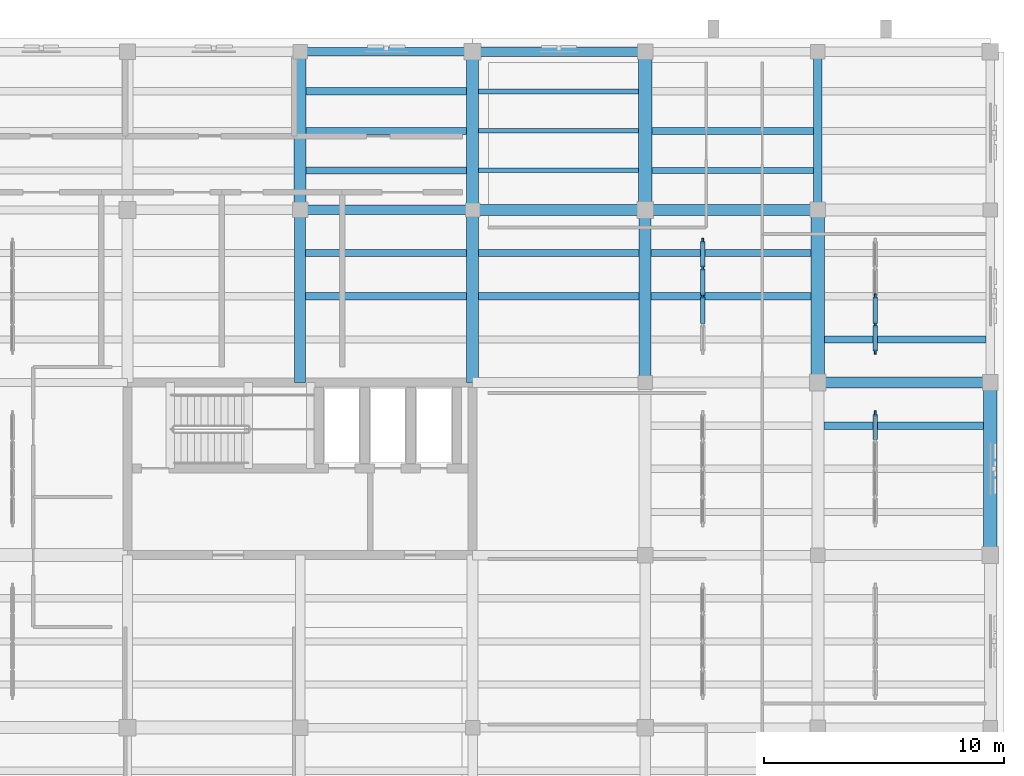
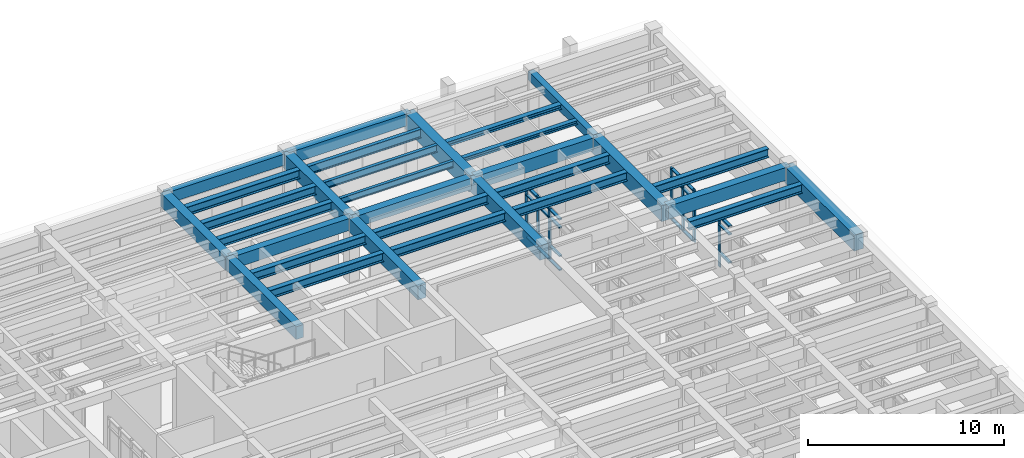
# One storey, part 11 of 40: 31 beams, 30 members, 3 elements without a shape of their own.
"""IFC4 building model written with IfcOpenShell, lengths in metres."""

from ifc_helpers import new_model, si_unit, direction, frame, origin, origin_2d, place, context, subcontext, project, spatial, rectangle, i_section, extrude, material, material_profile, profile_set, type_object, element, aggregate, save


model = new_model("IFC4")

# Units and contexts
model_context = context("Model", 3, precision=1e-05, world=origin(), true_north=direction((0.0, 1.0)))
body_context = subcontext(model_context, "Body", "Model", "MODEL_VIEW")
ifc_project = project(units=[si_unit("LENGTHUNIT", "METRE"), si_unit("AREAUNIT", "SQUARE_METRE"), si_unit("VOLUMEUNIT", "CUBIC_METRE"), si_unit("PLANEANGLEUNIT", "RADIAN"), si_unit("MASSUNIT", "GRAM", prefix="KILO")], contexts=[model_context])

# Site, building, storey
site_placement = place(None, origin())
site = spatial("IfcSite", under=ifc_project, at=site_placement, CompositionType="ELEMENT")
building_placement = place(site_placement, origin())
building = spatial("IfcBuilding", under=site, at=building_placement, Name="Mithqara Police Headquarters", CompositionType="ELEMENT")
storey_placement = place(building_placement, frame((0.0, 0.0, 13.800048828125)))
storey = spatial("IfcBuildingStorey", under=building, at=storey_placement, Name="L03", CompositionType="ELEMENT", Elevation=13.800048828125)

# Beams
ifc_material_1 = material(Name="Steel S355JR", Category="steel")
ifc_material_profile_1 = material_profile(ifc_material_1, i_section(OverallWidth=0.300048828125, OverallDepth=0.550048828125, WebThickness=0.014892578125, FlangeThickness=0.029052734375, FilletRadius=0.027099609375, at=origin_2d()), Name="HEB 550")
ifc_profile_set_1 = profile_set([ifc_material_profile_1], Name="Steel S355JR")
beam_type_1 = type_object("IfcBeamType", Name="BEAM HEB550", PredefinedType="BEAM", material=ifc_profile_set_1)
for number, where, z_axis, x_axis, name in (
    (1, (137.625, 103.800048828125, 3.6650390625), (1.0, 0.0, 0.0), (0.0, 1.0, 0.0), "L03 Composite Steel Joist 20-21/Q.2"),
    (2, (137.625, 105.60009765625, 3.6650390625), (1.0, 0.0, 0.0), (0.0, 1.0, 0.0), "L03 Composite Steel Joist 20-21/Q.3"),
):
    element("IfcBeam", number, at=place(storey_placement, frame(where, z_axis=z_axis, x_axis=x_axis)), inside=storey, type_object=beam_type_1, Name=name, PredefinedType="BEAM", context=body_context, shape_type="SweptSolid", body=[
        extrude(i_section(OverallWidth=0.300048828125, OverallDepth=0.550048828125, WebThickness=0.014892578125, FlangeThickness=0.029052734375, FilletRadius=0.027099609375, at=origin_2d()), origin(), (0.0, 0.0, 1.0), 6.72509765625),
    ])
for number, where, z_axis, x_axis, name in (
    (3, (137.64990234375, 109.050048828125, 3.6650390625), (1.0, 0.0, 0.0), (0.0, 1.0, 0.0), "L03 Composite Steel Joist 20-21/R.1"),
    (4, (137.64990234375, 110.699951171875, 3.6650390625), (1.0, 0.0, 0.0), (0.0, 1.0, 0.0), "L03 Composite Steel Joist 20-21/R.2"),
    (5, (137.64990234375, 112.35009765625, 3.6650390625), (1.0, 0.0, 0.0), (0.0, 1.0, 0.0), "L03 Composite Steel Joist 20-21/R.3"),
):
    element("IfcBeam", number, at=place(storey_placement, frame(where, z_axis=z_axis, x_axis=x_axis)), inside=storey, type_object=beam_type_1, Name=name, PredefinedType="BEAM", context=body_context, shape_type="SweptSolid", body=[
        extrude(i_section(OverallWidth=0.300048828125, OverallDepth=0.550048828125, WebThickness=0.014892578125, FlangeThickness=0.029052734375, FilletRadius=0.027099609375, at=origin_2d()), origin(), (0.0, 0.0, 1.0), 6.7001953125),
    ])
for number, where, z_axis, x_axis, name in (
    (6, (144.85009765625, 103.800048828125, 3.6650390625), (1.0, 0.0, 0.0), (0.0, 1.0, 0.0), "L03 Composite Steel Joist 21-22/Q.2"),
    (7, (144.85009765625, 105.60009765625, 3.6650390625), (1.0, 0.0, 0.0), (0.0, 1.0, 0.0), "L03 Composite Steel Joist 21-22/Q.3"),
):
    element("IfcBeam", number, at=place(storey_placement, frame(where, z_axis=z_axis, x_axis=x_axis)), inside=storey, type_object=beam_type_1, Name=name, PredefinedType="BEAM", context=body_context, shape_type="SweptSolid", body=[
        extrude(i_section(OverallWidth=0.300048828125, OverallDepth=0.550048828125, WebThickness=0.014892578125, FlangeThickness=0.029052734375, FilletRadius=0.027099609375, at=origin_2d()), origin(), (0.0, 0.0, 1.0), 6.699951171875),
    ])
for number, where, z_axis, x_axis, name in (
    (8, (152.050048828125, 103.800048828125, 3.6650390625), (1.0, 0.0, 0.0), (0.0, 1.0, 0.0), "L03 Composite Steel Joist 22-23/Q.2"),
    (9, (152.050048828125, 105.60009765625, 3.6650390625), (1.0, 0.0, 0.0), (0.0, 1.0, 0.0), "L03 Composite Steel Joist 22-23/Q.3"),
    (10, (159.25, 98.39990234375, 3.6650390625), (1.0, 0.0, 0.0), (0.0, 1.0, 0.0), "L03 Composite Steel Joist 23-24/P.3"),
):
    element("IfcBeam", number, at=place(storey_placement, frame(where, z_axis=z_axis, x_axis=x_axis)), inside=storey, type_object=beam_type_1, Name=name, PredefinedType="BEAM", context=body_context, shape_type="SweptSolid", body=[
        extrude(i_section(OverallWidth=0.300048828125, OverallDepth=0.550048828125, WebThickness=0.014892578125, FlangeThickness=0.029052734375, FilletRadius=0.027099609375, at=origin_2d()), origin(), (0.0, 0.0, 1.0), 6.675048828125),
    ])
beam_1_placement = place(storey_placement, frame((159.27490234375, 102.0, 3.6650390625), z_axis=(1.0, 0.0, 0.0), x_axis=(0.0, 1.0, 0.0)))
element("IfcBeam", 11, at=beam_1_placement, inside=storey, type_object=beam_type_1, Name="L03 Composite Steel Joist 23-24/Q.1", PredefinedType="BEAM", context=body_context, shape_type="SweptSolid", body=[
    extrude(i_section(OverallWidth=0.300048828125, OverallDepth=0.550048828125, WebThickness=0.014892578125, FlangeThickness=0.029052734375, FilletRadius=0.027099609375, at=origin_2d()), origin(), (0.0, 0.0, 1.0), 6.75),
])
ifc_material_2 = material(Name="Concrete C40/50", Category="concrete")
ifc_material_profile_2 = material_profile(ifc_material_2, rectangle(XDim=0.35009765625, YDim=0.550048828125, at=origin_2d()), Name="RC 350x550")
ifc_profile_set_2 = profile_set([ifc_material_profile_2], Name="Concrete C40/50")
beam_type_2 = type_object("IfcBeamType", Name="BEAM RC350X550", PredefinedType="BEAM", material=ifc_profile_set_2)
beam_2_placement = place(storey_placement, frame((159.0, 107.39990234375, 3.6650390625), z_axis=(0.0, 1.0, 0.0), x_axis=(-1.0, 0.0, 0.0)))
element("IfcBeam", 12, at=beam_2_placement, inside=storey, type_object=beam_type_2, Name="L03 Girder 23/R-S", PredefinedType="BEAM", context=body_context, shape_type="SweptSolid", body=[
    extrude(rectangle(XDim=0.35009765625, YDim=0.550048828125, at=origin_2d()), origin(), (0.0, 0.0, 1.0), 6.60009765625),
])
ifc_material_profile_3 = material_profile(ifc_material_2, rectangle(XDim=0.39990234375, YDim=0.75, at=origin_2d()), Name="RC 400x750")
ifc_profile_set_3 = profile_set([ifc_material_profile_3], Name="Concrete C40/50")
beam_type_3 = type_object("IfcBeamType", Name="BEAM RC400X750", PredefinedType="BEAM", material=ifc_profile_set_3)
beam_3_placement = place(storey_placement, frame((137.39990234375, 107.39990234375, 3.56494140625), z_axis=(1.0, 0.0, 0.0), x_axis=(0.0, 1.0, 0.0)))
element("IfcBeam", 13, at=beam_3_placement, inside=storey, type_object=beam_type_3, Name="L03 Girder 20-21/R", PredefinedType="BEAM", context=body_context, shape_type="SweptSolid", body=[
    extrude(rectangle(XDim=0.39990234375, YDim=0.75, at=origin_2d()), origin(), (0.0, 0.0, 1.0), 7.2001953125),
])
ifc_material_profile_4 = material_profile(ifc_material_2, rectangle(XDim=0.449951171875, YDim=0.699951171875, at=origin_2d()), Name="RC 450x700")
ifc_profile_set_4 = profile_set([ifc_material_profile_4], Name="Concrete C40/50")
beam_type_4 = type_object("IfcBeamType", Name="BEAM RC450X700", PredefinedType="BEAM", material=ifc_profile_set_4)
beam_4_placement = place(storey_placement, frame((144.60009765625, 107.39990234375, 3.58984375), z_axis=(1.0, 0.0, 0.0), x_axis=(0.0, 1.0, 0.0)))
element("IfcBeam", 14, at=beam_4_placement, inside=storey, type_object=beam_type_4, Name="L03 Girder 21-22/R", PredefinedType="BEAM", context=body_context, shape_type="SweptSolid", body=[
    extrude(rectangle(XDim=0.449951171875, YDim=0.699951171875, at=origin_2d()), origin(), (0.0, 0.0, 1.0), 7.199951171875),
])
ifc_material_profile_5 = material_profile(ifc_material_2, rectangle(XDim=0.449951171875, YDim=0.800048828125, at=origin_2d()), Name="RC 450x800")
ifc_profile_set_5 = profile_set([ifc_material_profile_5], Name="Concrete C40/50")
beam_type_5 = type_object("IfcBeamType", Name="BEAM RC450X800", PredefinedType="BEAM", material=ifc_profile_set_5)
for number, where, z_axis, x_axis, name in (
    (15, (137.39990234375, 100.199951171875, 3.5400390625), (0.0, 1.0, 0.0), (-1.0, 0.0, 0.0), "L03 Girder 20/Q-R"),
    (16, (151.800048828125, 107.39990234375, 3.5400390625), (1.0, 0.0, 0.0), (0.0, 1.0, 0.0), "L03 Girder 22-23/R"),
    (17, (159.0, 100.199951171875, 3.5400390625), (1.0, 0.0, 0.0), (0.0, 1.0, 0.0), "L03 Girder 23-24/Q"),
):
    element("IfcBeam", number, at=place(storey_placement, frame(where, z_axis=z_axis, x_axis=x_axis)), inside=storey, type_object=beam_type_5, Name=name, PredefinedType="BEAM", context=body_context, shape_type="SweptSolid", body=[
        extrude(rectangle(XDim=0.449951171875, YDim=0.800048828125, at=origin_2d()), origin(), (0.0, 0.0, 1.0), 7.199951171875),
    ])
ifc_material_profile_6 = material_profile(ifc_material_2, rectangle(XDim=0.5, YDim=0.85009765625, at=origin_2d()), Name="RC 500x850")
ifc_profile_set_6 = profile_set([ifc_material_profile_6], Name="Concrete C40/50")
beam_type_6 = type_object("IfcBeamType", Name="BEAM RC500X850", PredefinedType="BEAM", material=ifc_profile_set_6)
beam_5_placement = place(storey_placement, frame((137.39990234375, 107.39990234375, 3.514892578125), z_axis=(0.0, 1.0, 0.0), x_axis=(-1.0, 0.0, 0.0)))
element("IfcBeam", 18, at=beam_5_placement, inside=storey, type_object=beam_type_6, Name="L03 Girder 20/R-S", PredefinedType="BEAM", context=body_context, shape_type="SweptSolid", body=[
    extrude(rectangle(XDim=0.5, YDim=0.85009765625, at=origin_2d()), origin(), (0.0, 0.0, 1.0), 6.60009765625),
])
beam_6_placement = place(storey_placement, frame((144.60009765625, 100.199951171875, 3.514892578125), z_axis=(0.0, 1.0, 0.0), x_axis=(-1.0, 0.0, 0.0)))
element("IfcBeam", 19, at=beam_6_placement, inside=storey, type_object=beam_type_6, Name="L03 Girder 21/Q-R", PredefinedType="BEAM", context=body_context, shape_type="SweptSolid", body=[
    extrude(rectangle(XDim=0.5, YDim=0.85009765625, at=origin_2d()), origin(), (0.0, 0.0, 1.0), 7.199951171875),
])
ifc_material_3 = material(Name="Concrete C50/60", Category="concrete")
ifc_material_profile_7 = material_profile(ifc_material_3, rectangle(XDim=0.5, YDim=0.89990234375, at=origin_2d()), Name="RC 500x900")
ifc_profile_set_7 = profile_set([ifc_material_profile_7], Name="Concrete C50/60")
beam_type_7 = type_object("IfcBeamType", Name="BEAM RC500X900", PredefinedType="BEAM", material=ifc_profile_set_7)
beam_7_placement = place(storey_placement, frame((144.60009765625, 107.39990234375, 3.489990234375), z_axis=(0.0, 1.0, 0.0), x_axis=(-1.0, 0.0, 0.0)))
element("IfcBeam", 20, at=beam_7_placement, inside=storey, type_object=beam_type_7, Name="L03 Girder 21/R-S", PredefinedType="BEAM", context=body_context, shape_type="SweptSolid", body=[
    extrude(rectangle(XDim=0.5, YDim=0.89990234375, at=origin_2d()), origin(), (0.0, 0.0, 1.0), 6.60009765625),
])
beam_8_placement = place(storey_placement, frame((151.800048828125, 100.199951171875, 3.489990234375), z_axis=(0.0, 1.0, 0.0), x_axis=(-1.0, 0.0, 0.0)))
element("IfcBeam", 21, at=beam_8_placement, inside=storey, type_object=beam_type_7, Name="L03 Girder 22/Q-R", PredefinedType="BEAM", context=body_context, shape_type="SweptSolid", body=[
    extrude(rectangle(XDim=0.5, YDim=0.89990234375, at=origin_2d()), origin(), (0.0, 0.0, 1.0), 7.199951171875),
])
ifc_material_profile_8 = material_profile(ifc_material_3, rectangle(XDim=0.550048828125, YDim=1.0, at=origin_2d()), Name="RC 550x1000")
ifc_profile_set_8 = profile_set([ifc_material_profile_8], Name="Concrete C50/60")
beam_type_8 = type_object("IfcBeamType", Name="BEAM RC550X1000", PredefinedType="BEAM", material=ifc_profile_set_8)
beam_9_placement = place(storey_placement, frame((151.800048828125, 107.39990234375, 3.43994140625), z_axis=(0.0, 1.0, 0.0), x_axis=(-1.0, 0.0, 0.0)))
element("IfcBeam", 22, at=beam_9_placement, inside=storey, type_object=beam_type_8, Name="L03 Girder 22/R-S", PredefinedType="BEAM", context=body_context, shape_type="SweptSolid", body=[
    extrude(rectangle(XDim=0.550048828125, YDim=1.0, at=origin_2d()), origin(), (0.0, 0.0, 1.0), 6.60009765625),
])
for number, where, z_axis, x_axis, name in (
    (23, (159.0, 100.199951171875, 3.43994140625), (0.0, 1.0, 0.0), (-1.0, 0.0, 0.0), "L03 Girder 23/Q-R"),
    (24, (166.199951171875, 93.0, 3.43994140625), (0.0, 1.0, 0.0), (-1.0, 0.0, 0.0), "L03 Girder 24/P-Q"),
):
    element("IfcBeam", number, at=place(storey_placement, frame(where, z_axis=z_axis, x_axis=x_axis)), inside=storey, type_object=beam_type_8, Name=name, PredefinedType="BEAM", context=body_context, shape_type="SweptSolid", body=[
        extrude(rectangle(XDim=0.550048828125, YDim=1.0, at=origin_2d()), origin(), (0.0, 0.0, 1.0), 7.199951171875),
    ])

# Curtain wall, members
ifc_material_4 = material(Name="Bronze anodised aluminium 6063-T6", Category="aluminium")
curtain_wall_type = type_object("IfcCurtainWallType", Name="CURTAIN WALL 4700X3220", PredefinedType="USERDEFINED", material=ifc_material_4)
curtain_wall_1_placement = place(storey_placement, origin())
curtain_wall_1 = element("IfcCurtainWall", 25, at=curtain_wall_1_placement, inside=storey, type_object=curtain_wall_type, Name="L03 Unitised Glazing CW-16 (CW-INT-L03-X21-Y14-0)", ObjectType="UNITISED GLAZING", PredefinedType="USERDEFINED")
ifc_material_profile_9 = material_profile(ifc_material_4, rectangle(XDim=0.074951171875, YDim=0.219970703125, at=origin_2d()), Name="CWM 75x220")
ifc_profile_set_9 = profile_set([ifc_material_profile_9], Name="Bronze anodised aluminium 6063-T6")
member_type_1 = type_object("IfcMemberType", Name="CWMULLION 75X220", PredefinedType="MULLION", material=ifc_profile_set_9)
member_1_placement = place(storey_placement, frame((154.199951171875, 103.800048828125, 0.0), z_axis=(0.0, 0.0, 1.0), x_axis=(-1.0, 0.0, 0.0)))
member_1 = element("IfcMember", 26, at=member_1_placement, type_object=member_type_1, Name="CW-16 mullion 3", PredefinedType="MULLION", context=body_context, shape_type="SweptSolid", body=[
    extrude(rectangle(XDim=0.074951171875, YDim=0.219970703125, at=origin_2d()), origin(), (0.0, 0.0, 1.0), 3.219970703125),
])
member_2_placement = place(storey_placement, frame((154.199951171875, 104.97509765625, 0.0), z_axis=(0.0, 0.0, 1.0), x_axis=(-1.0, 0.0, 0.0)))
member_2 = element("IfcMember", 27, at=member_2_placement, type_object=member_type_1, Name="CW-16 mullion 4", PredefinedType="MULLION", context=body_context, shape_type="SweptSolid", body=[
    extrude(rectangle(XDim=0.074951171875, YDim=0.219970703125, at=origin_2d()), origin(), (0.0, 0.0, 1.0), 3.219970703125),
])
member_3_placement = place(storey_placement, frame((154.199951171875, 106.112548828125, 0.0), z_axis=(0.0, 0.0, 1.0), x_axis=(-1.0, 0.0, 0.0)))
member_3 = element("IfcMember", 28, at=member_3_placement, type_object=member_type_1, Name="CW-16 mullion 5", PredefinedType="MULLION", context=body_context, shape_type="SweptSolid", body=[
    extrude(rectangle(XDim=0.074951171875, YDim=0.219970703125, at=origin_2d()), origin(), (0.0, 0.0, 1.0), 3.219970703125),
])

# Curtain wall, member
curtain_wall_2_placement = place(storey_placement, origin())
curtain_wall_2 = element("IfcCurtainWall", 29, at=curtain_wall_2_placement, inside=storey, type_object=curtain_wall_type, Name="L03 Unitised Glazing CW-16 (CW-INT-L03-X22-Y13-0)", ObjectType="UNITISED GLAZING", PredefinedType="USERDEFINED")
member_4_placement = place(storey_placement, frame((161.39990234375, 98.91259765625, 0.0), z_axis=(0.0, 0.0, 1.0), x_axis=(-1.0, 0.0, 0.0)))
member_4 = element("IfcMember", 30, at=member_4_placement, type_object=member_type_1, Name="CW-16 mullion 5", PredefinedType="MULLION", context=body_context, shape_type="SweptSolid", body=[
    extrude(rectangle(XDim=0.074951171875, YDim=0.219970703125, at=origin_2d()), origin(), (0.0, 0.0, 1.0), 3.219970703125),
])

# Curtain wall, members
curtain_wall_3_placement = place(storey_placement, origin())
curtain_wall_3 = element("IfcCurtainWall", 31, at=curtain_wall_3_placement, inside=storey, type_object=curtain_wall_type, Name="L03 Unitised Glazing CW-16 (CW-INT-L03-X22-Y14-0)", ObjectType="UNITISED GLAZING", PredefinedType="USERDEFINED")
member_5_placement = place(storey_placement, frame((161.39990234375, 101.487548828125, 0.0), z_axis=(0.0, 0.0, 1.0), x_axis=(-1.0, 0.0, 0.0)))
member_5 = element("IfcMember", 32, at=member_5_placement, type_object=member_type_1, Name="CW-16 mullion 1", PredefinedType="MULLION", context=body_context, shape_type="SweptSolid", body=[
    extrude(rectangle(XDim=0.074951171875, YDim=0.219970703125, at=origin_2d()), origin(), (0.0, 0.0, 1.0), 3.219970703125),
])
member_6_placement = place(storey_placement, frame((161.39990234375, 102.625, 0.0), z_axis=(0.0, 0.0, 1.0), x_axis=(-1.0, 0.0, 0.0)))
member_6 = element("IfcMember", 33, at=member_6_placement, type_object=member_type_1, Name="CW-16 mullion 2", PredefinedType="MULLION", context=body_context, shape_type="SweptSolid", body=[
    extrude(rectangle(XDim=0.074951171875, YDim=0.219970703125, at=origin_2d()), origin(), (0.0, 0.0, 1.0), 3.219970703125),
])
member_7_placement = place(storey_placement, frame((161.39990234375, 103.800048828125, 0.0), z_axis=(0.0, 0.0, 1.0), x_axis=(-1.0, 0.0, 0.0)))
member_7 = element("IfcMember", 34, at=member_7_placement, type_object=member_type_1, Name="CW-16 mullion 3", PredefinedType="MULLION", context=body_context, shape_type="SweptSolid", body=[
    extrude(rectangle(XDim=0.074951171875, YDim=0.219970703125, at=origin_2d()), origin(), (0.0, 0.0, 1.0), 3.219970703125),
])

# Member
ifc_material_profile_10 = material_profile(ifc_material_4, rectangle(XDim=0.179931640625, YDim=0.074951171875, at=origin_2d()), Name="CWT 180x75")
ifc_profile_set_10 = profile_set([ifc_material_profile_10], Name="Bronze anodised aluminium 6063-T6")
member_type_2 = type_object("IfcMemberType", Name="CWTRANSOM 180X75", PredefinedType="USERDEFINED", material=ifc_profile_set_10)
member_8_placement = place(storey_placement, frame((154.199951171875, 102.66259765625, 0.037353515625), z_axis=(0.0, 1.0, 0.0), x_axis=(-1.0, 0.0, 0.0)))
member_8 = element("IfcMember", 35, at=member_8_placement, type_object=member_type_2, Name="CW-16 transom 2.1", ObjectType="TRANSOM", PredefinedType="USERDEFINED", context=body_context, shape_type="SweptSolid", body=[
    extrude(rectangle(XDim=0.179931640625, YDim=0.074951171875, at=origin_2d()), origin(), (0.0, 0.0, 1.0), 1.099853515625),
])

member_9_placement = place(storey_placement, frame((154.199951171875, 102.66259765625, 0.89990234375), z_axis=(0.0, 1.0, 0.0), x_axis=(-1.0, 0.0, 0.0)))
member_9 = element("IfcMember", 36, at=member_9_placement, type_object=member_type_2, Name="CW-16 transom 2.2", ObjectType="TRANSOM", PredefinedType="USERDEFINED", context=body_context, shape_type="SweptSolid", body=[
    extrude(rectangle(XDim=0.179931640625, YDim=0.074951171875, at=origin_2d()), origin(), (0.0, 0.0, 1.0), 1.099853515625),
])

member_10_placement = place(storey_placement, frame((154.199951171875, 102.66259765625, 2.669921875), z_axis=(0.0, 1.0, 0.0), x_axis=(-1.0, 0.0, 0.0)))
member_10 = element("IfcMember", 37, at=member_10_placement, type_object=member_type_2, Name="CW-16 transom 2.3", ObjectType="TRANSOM", PredefinedType="USERDEFINED", context=body_context, shape_type="SweptSolid", body=[
    extrude(rectangle(XDim=0.179931640625, YDim=0.074951171875, at=origin_2d()), origin(), (0.0, 0.0, 1.0), 1.099853515625),
])

member_11_placement = place(storey_placement, frame((154.199951171875, 102.66259765625, 3.182373046875), z_axis=(0.0, 1.0, 0.0), x_axis=(-1.0, 0.0, 0.0)))
member_11 = element("IfcMember", 38, at=member_11_placement, type_object=member_type_2, Name="CW-16 transom 2.4", ObjectType="TRANSOM", PredefinedType="USERDEFINED", context=body_context, shape_type="SweptSolid", body=[
    extrude(rectangle(XDim=0.179931640625, YDim=0.074951171875, at=origin_2d()), origin(), (0.0, 0.0, 1.0), 1.099853515625),
])

member_12_placement = place(storey_placement, frame((154.199951171875, 103.83740234375, 0.037353515625), z_axis=(0.0, 1.0, 0.0), x_axis=(-1.0, 0.0, 0.0)))
member_12 = element("IfcMember", 39, at=member_12_placement, type_object=member_type_2, Name="CW-16 transom 3.1", ObjectType="TRANSOM", PredefinedType="USERDEFINED", context=body_context, shape_type="SweptSolid", body=[
    extrude(rectangle(XDim=0.179931640625, YDim=0.074951171875, at=origin_2d()), origin(), (0.0, 0.0, 1.0), 1.10009765625),
])

member_13_placement = place(storey_placement, frame((154.199951171875, 103.83740234375, 0.89990234375), z_axis=(0.0, 1.0, 0.0), x_axis=(-1.0, 0.0, 0.0)))
member_13 = element("IfcMember", 40, at=member_13_placement, type_object=member_type_2, Name="CW-16 transom 3.2", ObjectType="TRANSOM", PredefinedType="USERDEFINED", context=body_context, shape_type="SweptSolid", body=[
    extrude(rectangle(XDim=0.179931640625, YDim=0.074951171875, at=origin_2d()), origin(), (0.0, 0.0, 1.0), 1.10009765625),
])

member_14_placement = place(storey_placement, frame((154.199951171875, 103.83740234375, 2.669921875), z_axis=(0.0, 1.0, 0.0), x_axis=(-1.0, 0.0, 0.0)))
member_14 = element("IfcMember", 41, at=member_14_placement, type_object=member_type_2, Name="CW-16 transom 3.3", ObjectType="TRANSOM", PredefinedType="USERDEFINED", context=body_context, shape_type="SweptSolid", body=[
    extrude(rectangle(XDim=0.179931640625, YDim=0.074951171875, at=origin_2d()), origin(), (0.0, 0.0, 1.0), 1.10009765625),
])

member_15_placement = place(storey_placement, frame((154.199951171875, 103.83740234375, 3.182373046875), z_axis=(0.0, 1.0, 0.0), x_axis=(-1.0, 0.0, 0.0)))
member_15 = element("IfcMember", 42, at=member_15_placement, type_object=member_type_2, Name="CW-16 transom 3.4", ObjectType="TRANSOM", PredefinedType="USERDEFINED", context=body_context, shape_type="SweptSolid", body=[
    extrude(rectangle(XDim=0.179931640625, YDim=0.074951171875, at=origin_2d()), origin(), (0.0, 0.0, 1.0), 1.10009765625),
])

member_16_placement = place(storey_placement, frame((154.199951171875, 105.012451171875, 0.037353515625), z_axis=(0.0, 1.0, 0.0), x_axis=(-1.0, 0.0, 0.0)))
member_16 = element("IfcMember", 43, at=member_16_placement, type_object=member_type_2, Name="CW-16 transom 4.1", ObjectType="TRANSOM", PredefinedType="USERDEFINED", context=body_context, shape_type="SweptSolid", body=[
    extrude(rectangle(XDim=0.179931640625, YDim=0.074951171875, at=origin_2d()), origin(), (0.0, 0.0, 1.0), 1.0625),
])

member_17_placement = place(storey_placement, frame((154.199951171875, 105.012451171875, 0.89990234375), z_axis=(0.0, 1.0, 0.0), x_axis=(-1.0, 0.0, 0.0)))
member_17 = element("IfcMember", 44, at=member_17_placement, type_object=member_type_2, Name="CW-16 transom 4.2", ObjectType="TRANSOM", PredefinedType="USERDEFINED", context=body_context, shape_type="SweptSolid", body=[
    extrude(rectangle(XDim=0.179931640625, YDim=0.074951171875, at=origin_2d()), origin(), (0.0, 0.0, 1.0), 1.0625),
])

member_18_placement = place(storey_placement, frame((154.199951171875, 105.012451171875, 2.669921875), z_axis=(0.0, 1.0, 0.0), x_axis=(-1.0, 0.0, 0.0)))
member_18 = element("IfcMember", 45, at=member_18_placement, type_object=member_type_2, Name="CW-16 transom 4.3", ObjectType="TRANSOM", PredefinedType="USERDEFINED", context=body_context, shape_type="SweptSolid", body=[
    extrude(rectangle(XDim=0.179931640625, YDim=0.074951171875, at=origin_2d()), origin(), (0.0, 0.0, 1.0), 1.0625),
])

member_19_placement = place(storey_placement, frame((154.199951171875, 105.012451171875, 3.182373046875), z_axis=(0.0, 1.0, 0.0), x_axis=(-1.0, 0.0, 0.0)))
member_19 = element("IfcMember", 46, at=member_19_placement, type_object=member_type_2, Name="CW-16 transom 4.4", ObjectType="TRANSOM", PredefinedType="USERDEFINED", context=body_context, shape_type="SweptSolid", body=[
    extrude(rectangle(XDim=0.179931640625, YDim=0.074951171875, at=origin_2d()), origin(), (0.0, 0.0, 1.0), 1.0625),
])

aggregate(curtain_wall_1, [member_1, member_2, member_3, member_8, member_9, member_10, member_11, member_12, member_13, member_14, member_15, member_16, member_17, member_18, member_19])

member_20_placement = place(storey_placement, frame((161.39990234375, 97.8125, 0.89990234375), z_axis=(0.0, 1.0, 0.0), x_axis=(-1.0, 0.0, 0.0)))
member_20 = element("IfcMember", 47, at=member_20_placement, type_object=member_type_2, Name="CW-16 transom 4.2", ObjectType="TRANSOM", PredefinedType="USERDEFINED", context=body_context, shape_type="SweptSolid", body=[
    extrude(rectangle(XDim=0.179931640625, YDim=0.074951171875, at=origin_2d()), origin(), (0.0, 0.0, 1.0), 1.0625),
])

member_21_placement = place(storey_placement, frame((161.39990234375, 97.8125, 2.669921875), z_axis=(0.0, 1.0, 0.0), x_axis=(-1.0, 0.0, 0.0)))
member_21 = element("IfcMember", 48, at=member_21_placement, type_object=member_type_2, Name="CW-16 transom 4.3", ObjectType="TRANSOM", PredefinedType="USERDEFINED", context=body_context, shape_type="SweptSolid", body=[
    extrude(rectangle(XDim=0.179931640625, YDim=0.074951171875, at=origin_2d()), origin(), (0.0, 0.0, 1.0), 1.0625),
])

member_22_placement = place(storey_placement, frame((161.39990234375, 97.8125, 3.182373046875), z_axis=(0.0, 1.0, 0.0), x_axis=(-1.0, 0.0, 0.0)))
member_22 = element("IfcMember", 49, at=member_22_placement, type_object=member_type_2, Name="CW-16 transom 4.4", ObjectType="TRANSOM", PredefinedType="USERDEFINED", context=body_context, shape_type="SweptSolid", body=[
    extrude(rectangle(XDim=0.179931640625, YDim=0.074951171875, at=origin_2d()), origin(), (0.0, 0.0, 1.0), 1.0625),
])

aggregate(curtain_wall_2, [member_4, member_20, member_21, member_22])

member_23_placement = place(storey_placement, frame((161.39990234375, 101.52490234375, 0.037353515625), z_axis=(0.0, 1.0, 0.0), x_axis=(-1.0, 0.0, 0.0)))
member_23 = element("IfcMember", 50, at=member_23_placement, type_object=member_type_2, Name="CW-16 transom 1.1", ObjectType="TRANSOM", PredefinedType="USERDEFINED", context=body_context, shape_type="SweptSolid", body=[
    extrude(rectangle(XDim=0.179931640625, YDim=0.074951171875, at=origin_2d()), origin(), (0.0, 0.0, 1.0), 1.0625),
])

member_24_placement = place(storey_placement, frame((161.39990234375, 101.52490234375, 0.89990234375), z_axis=(0.0, 1.0, 0.0), x_axis=(-1.0, 0.0, 0.0)))
member_24 = element("IfcMember", 51, at=member_24_placement, type_object=member_type_2, Name="CW-16 transom 1.2", ObjectType="TRANSOM", PredefinedType="USERDEFINED", context=body_context, shape_type="SweptSolid", body=[
    extrude(rectangle(XDim=0.179931640625, YDim=0.074951171875, at=origin_2d()), origin(), (0.0, 0.0, 1.0), 1.0625),
])

member_25_placement = place(storey_placement, frame((161.39990234375, 101.52490234375, 2.669921875), z_axis=(0.0, 1.0, 0.0), x_axis=(-1.0, 0.0, 0.0)))
member_25 = element("IfcMember", 52, at=member_25_placement, type_object=member_type_2, Name="CW-16 transom 1.3", ObjectType="TRANSOM", PredefinedType="USERDEFINED", context=body_context, shape_type="SweptSolid", body=[
    extrude(rectangle(XDim=0.179931640625, YDim=0.074951171875, at=origin_2d()), origin(), (0.0, 0.0, 1.0), 1.0625),
])

member_26_placement = place(storey_placement, frame((161.39990234375, 101.52490234375, 3.182373046875), z_axis=(0.0, 1.0, 0.0), x_axis=(-1.0, 0.0, 0.0)))
member_26 = element("IfcMember", 53, at=member_26_placement, type_object=member_type_2, Name="CW-16 transom 1.4", ObjectType="TRANSOM", PredefinedType="USERDEFINED", context=body_context, shape_type="SweptSolid", body=[
    extrude(rectangle(XDim=0.179931640625, YDim=0.074951171875, at=origin_2d()), origin(), (0.0, 0.0, 1.0), 1.0625),
])

member_27_placement = place(storey_placement, frame((161.39990234375, 102.66259765625, 0.037353515625), z_axis=(0.0, 1.0, 0.0), x_axis=(-1.0, 0.0, 0.0)))
member_27 = element("IfcMember", 54, at=member_27_placement, type_object=member_type_2, Name="CW-16 transom 2.1", ObjectType="TRANSOM", PredefinedType="USERDEFINED", context=body_context, shape_type="SweptSolid", body=[
    extrude(rectangle(XDim=0.179931640625, YDim=0.074951171875, at=origin_2d()), origin(), (0.0, 0.0, 1.0), 1.099853515625),
])

member_28_placement = place(storey_placement, frame((161.39990234375, 102.66259765625, 0.89990234375), z_axis=(0.0, 1.0, 0.0), x_axis=(-1.0, 0.0, 0.0)))
member_28 = element("IfcMember", 55, at=member_28_placement, type_object=member_type_2, Name="CW-16 transom 2.2", ObjectType="TRANSOM", PredefinedType="USERDEFINED", context=body_context, shape_type="SweptSolid", body=[
    extrude(rectangle(XDim=0.179931640625, YDim=0.074951171875, at=origin_2d()), origin(), (0.0, 0.0, 1.0), 1.099853515625),
])

member_29_placement = place(storey_placement, frame((161.39990234375, 102.66259765625, 2.669921875), z_axis=(0.0, 1.0, 0.0), x_axis=(-1.0, 0.0, 0.0)))
member_29 = element("IfcMember", 56, at=member_29_placement, type_object=member_type_2, Name="CW-16 transom 2.3", ObjectType="TRANSOM", PredefinedType="USERDEFINED", context=body_context, shape_type="SweptSolid", body=[
    extrude(rectangle(XDim=0.179931640625, YDim=0.074951171875, at=origin_2d()), origin(), (0.0, 0.0, 1.0), 1.099853515625),
])

member_30_placement = place(storey_placement, frame((161.39990234375, 102.66259765625, 3.182373046875), z_axis=(0.0, 1.0, 0.0), x_axis=(-1.0, 0.0, 0.0)))
member_30 = element("IfcMember", 57, at=member_30_placement, type_object=member_type_2, Name="CW-16 transom 2.4", ObjectType="TRANSOM", PredefinedType="USERDEFINED", context=body_context, shape_type="SweptSolid", body=[
    extrude(rectangle(XDim=0.179931640625, YDim=0.074951171875, at=origin_2d()), origin(), (0.0, 0.0, 1.0), 1.099853515625),
])

aggregate(curtain_wall_3, [member_5, member_6, member_7, member_23, member_24, member_25, member_26, member_27, member_28, member_29, member_30])

# Beams
ifc_material_profile_11 = material_profile(ifc_material_1, i_section(OverallWidth=0.260009765625, OverallDepth=0.25, WebThickness=0.007568359375, FlangeThickness=0.012451171875, FilletRadius=0.02392578125, at=origin_2d()), Name="HEA 260")
ifc_profile_set_11 = profile_set([ifc_material_profile_11], Name="Steel S355JR")
beam_type_9 = type_object("IfcBeamType", Name="JOIST HEA260", PredefinedType="JOIST", material=ifc_profile_set_11)
beam_10_placement = place(storey_placement, frame((152.074951171875, 109.050048828125, 3.81494140625), z_axis=(1.0, 0.0, 0.0), x_axis=(0.0, 1.0, 0.0)))
element("IfcBeam", 58, at=beam_10_placement, inside=storey, type_object=beam_type_9, Name="L03 Composite Steel Joist 22-23/R.1", PredefinedType="JOIST", context=body_context, shape_type="SweptSolid", body=[
    extrude(i_section(OverallWidth=0.260009765625, OverallDepth=0.25, WebThickness=0.007568359375, FlangeThickness=0.012451171875, FilletRadius=0.02392578125, at=origin_2d()), origin(), (0.0, 0.0, 1.0), 6.75),
])
ifc_material_profile_12 = material_profile(ifc_material_1, i_section(OverallWidth=0.300048828125, OverallDepth=0.2900390625, WebThickness=0.008544921875, FlangeThickness=0.013916015625, FilletRadius=0.027099609375, at=origin_2d()), Name="HEA 300")
ifc_profile_set_12 = profile_set([ifc_material_profile_12], Name="Steel S355JR")
beam_type_10 = type_object("IfcBeamType", Name="JOIST HEA300", PredefinedType="JOIST", material=ifc_profile_set_12)
beam_11_placement = place(storey_placement, frame((152.074951171875, 110.699951171875, 3.794921875), z_axis=(1.0, 0.0, 0.0), x_axis=(0.0, 1.0, 0.0)))
element("IfcBeam", 59, at=beam_11_placement, inside=storey, type_object=beam_type_10, Name="L03 Composite Steel Joist 22-23/R.2", PredefinedType="JOIST", context=body_context, shape_type="SweptSolid", body=[
    extrude(i_section(OverallWidth=0.300048828125, OverallDepth=0.2900390625, WebThickness=0.008544921875, FlangeThickness=0.013916015625, FilletRadius=0.027099609375, at=origin_2d()), origin(), (0.0, 0.0, 1.0), 6.75),
])
ifc_material_profile_13 = material_profile(ifc_material_1, i_section(OverallWidth=0.179931640625, OverallDepth=0.39990234375, WebThickness=0.008544921875, FlangeThickness=0.013427734375, FilletRadius=0.02099609375, at=origin_2d()), Name="IPE 400")
ifc_profile_set_13 = profile_set([ifc_material_profile_13], Name="Steel S355JR")
beam_type_11 = type_object("IfcBeamType", Name="JOIST IPE400", PredefinedType="JOIST", material=ifc_profile_set_13)
beam_12_placement = place(storey_placement, frame((144.85009765625, 109.050048828125, 3.739990234375), z_axis=(1.0, 0.0, 0.0), x_axis=(0.0, 1.0, 0.0)))
element("IfcBeam", 60, at=beam_12_placement, inside=storey, type_object=beam_type_11, Name="L03 Composite Steel Joist 21-22/R.1", PredefinedType="JOIST", context=body_context, shape_type="SweptSolid", body=[
    extrude(i_section(OverallWidth=0.179931640625, OverallDepth=0.39990234375, WebThickness=0.008544921875, FlangeThickness=0.013427734375, FilletRadius=0.02099609375, at=origin_2d()), origin(), (0.0, 0.0, 1.0), 6.6748046875),
])
ifc_material_profile_14 = material_profile(ifc_material_1, i_section(OverallWidth=0.18994140625, OverallDepth=0.449951171875, WebThickness=0.009521484375, FlangeThickness=0.0146484375, FilletRadius=0.02099609375, at=origin_2d()), Name="IPE 450")
ifc_profile_set_14 = profile_set([ifc_material_profile_14], Name="Steel S355JR")
beam_type_12 = type_object("IfcBeamType", Name="JOIST IPE450", PredefinedType="JOIST", material=ifc_profile_set_14)
beam_13_placement = place(storey_placement, frame((144.85009765625, 110.699951171875, 3.71484375), z_axis=(1.0, 0.0, 0.0), x_axis=(0.0, 1.0, 0.0)))
element("IfcBeam", 61, at=beam_13_placement, inside=storey, type_object=beam_type_12, Name="L03 Composite Steel Joist 21-22/R.2", PredefinedType="JOIST", context=body_context, shape_type="SweptSolid", body=[
    extrude(i_section(OverallWidth=0.18994140625, OverallDepth=0.449951171875, WebThickness=0.009521484375, FlangeThickness=0.0146484375, FilletRadius=0.02099609375, at=origin_2d()), origin(), (0.0, 0.0, 1.0), 6.6748046875),
])
ifc_material_profile_15 = material_profile(ifc_material_1, i_section(OverallWidth=0.2099609375, OverallDepth=0.550048828125, WebThickness=0.010986328125, FlangeThickness=0.01708984375, FilletRadius=0.02392578125, at=origin_2d()), Name="IPE 550")
ifc_profile_set_15 = profile_set([ifc_material_profile_15], Name="Steel S355JR")
beam_type_13 = type_object("IfcBeamType", Name="JOIST IPE550", PredefinedType="JOIST", material=ifc_profile_set_15)
beam_14_placement = place(storey_placement, frame((144.85009765625, 112.35009765625, 3.6650390625), z_axis=(1.0, 0.0, 0.0), x_axis=(0.0, 1.0, 0.0)))
element("IfcBeam", 62, at=beam_14_placement, inside=storey, type_object=beam_type_13, Name="L03 Composite Steel Joist 21-22/R.3", PredefinedType="JOIST", context=body_context, shape_type="SweptSolid", body=[
    extrude(i_section(OverallWidth=0.2099609375, OverallDepth=0.550048828125, WebThickness=0.010986328125, FlangeThickness=0.01708984375, FilletRadius=0.02392578125, at=origin_2d()), origin(), (0.0, 0.0, 1.0), 6.6748046875),
])
ifc_material_profile_16 = material_profile(ifc_material_2, rectangle(XDim=0.35009765625, YDim=0.699951171875, at=origin_2d()), Name="SPB 350x700")
ifc_profile_set_16 = profile_set([ifc_material_profile_16], Name="Concrete C40/50")
beam_type_14 = type_object("IfcBeamType", Name="SPANDREL 350X700", PredefinedType="SPANDREL", material=ifc_profile_set_16)
beam_15_placement = place(storey_placement, frame((137.39990234375, 114.0, 3.58984375), z_axis=(1.0, 0.0, 0.0), x_axis=(0.0, 1.0, 0.0)))
element("IfcBeam", 63, at=beam_15_placement, inside=storey, type_object=beam_type_14, Name="L03 Girder 20-21/S", PredefinedType="SPANDREL", context=body_context, shape_type="SweptSolid", body=[
    extrude(rectangle(XDim=0.35009765625, YDim=0.699951171875, at=origin_2d()), origin(), (0.0, 0.0, 1.0), 7.2001953125),
])
ifc_material_profile_17 = material_profile(ifc_material_2, rectangle(XDim=0.39990234375, YDim=0.75, at=origin_2d()), Name="SPB 400x750")
ifc_profile_set_17 = profile_set([ifc_material_profile_17], Name="Concrete C40/50")
beam_type_15 = type_object("IfcBeamType", Name="SPANDREL 400X750", PredefinedType="SPANDREL", material=ifc_profile_set_17)
beam_16_placement = place(storey_placement, frame((144.60009765625, 114.0, 3.56494140625), z_axis=(1.0, 0.0, 0.0), x_axis=(0.0, 1.0, 0.0)))
element("IfcBeam", 64, at=beam_16_placement, inside=storey, type_object=beam_type_15, Name="L03 Girder 21-22/S", PredefinedType="SPANDREL", context=body_context, shape_type="SweptSolid", body=[
    extrude(rectangle(XDim=0.39990234375, YDim=0.75, at=origin_2d()), origin(), (0.0, 0.0, 1.0), 7.199951171875),
])

save(model, "model.ifc")
